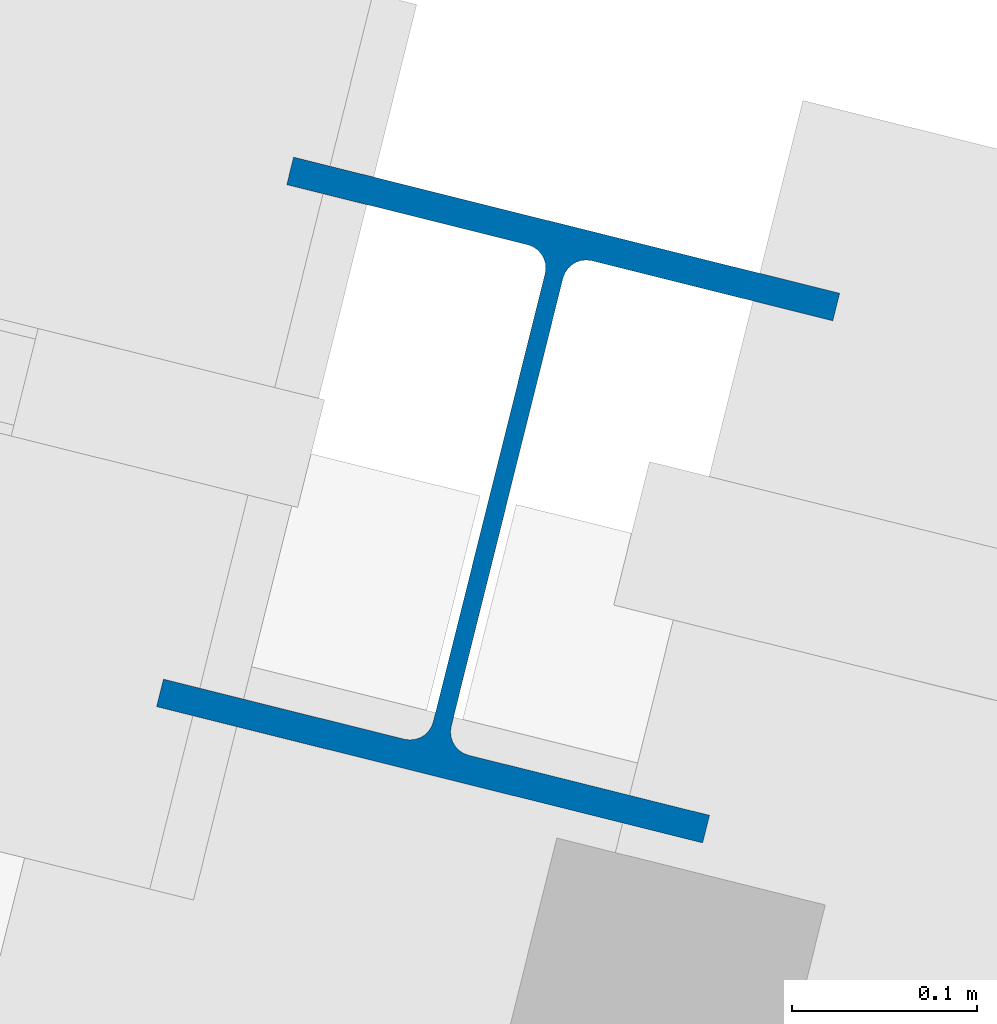
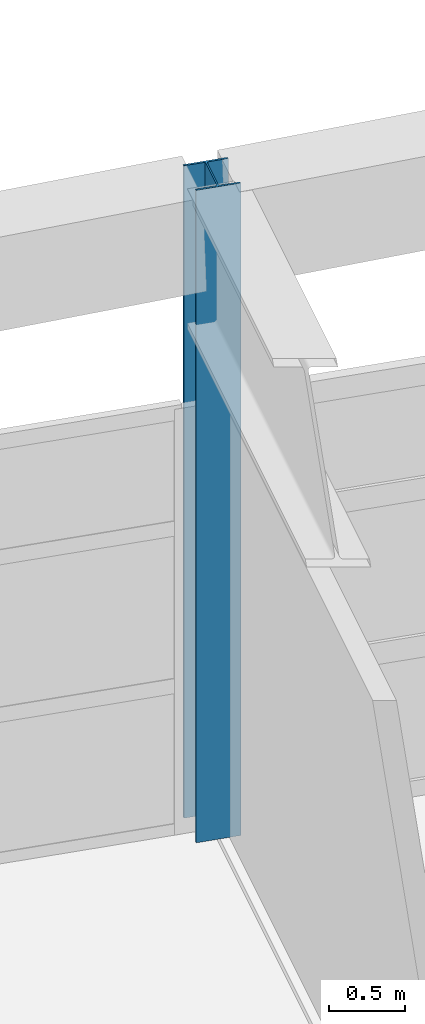
# One storey, part 6 of 27: 1 column.
"""IFC4 building model written with IfcOpenShell, lengths in metres."""

import ifcopenshell
import ifcopenshell.guid

model = None  # the IFC model being written
_history = None  # IfcOwnerHistory: only IFC2X3 demands one
_inside = {}  # id of a spatial element -> (the spatial element, [elements in it])
_under = {}  # id of a project, library or spatial element -> (it, [spatial elements below it])
_declared = {}  # id of a project -> (the project, [libraries it declares])
_typed = {}  # id of a type object -> (the type object, [elements of that type])
_made_of = {}  # id of a material, layer set ... -> (it, [elements and type objects made of it])


def new_model(schema):
    """Start an empty IFC model of exactly this schema.

    Asked for "IFC4X3", IfcOpenShell would pick the latest addendum, in which some entities
    have other attributes; the version numbers below select the first issue.
    IFC2X3 requires an IfcOwnerHistory on every rooted entity: one is made here for all.
    """
    global model, _history
    if schema == "IFC4X3":
        model = ifcopenshell.file(schema_version=(4, 3, 0, 0))
    else:
        model = ifcopenshell.file(schema=schema)
    _inside.clear()
    _under.clear()
    _declared.clear()
    _typed.clear()
    _made_of.clear()
    _history = None
    if model.schema == "IFC2X3":
        org = make("IfcOrganization", Name="unknown")
        user = make(
            "IfcPersonAndOrganization",
            ThePerson=make("IfcPerson", FamilyName="unknown"),
            TheOrganization=org,
        )
        app = make(
            "IfcApplication",
            ApplicationDeveloper=org,
            Version="unknown",
            ApplicationFullName="unknown",
            ApplicationIdentifier="unknown",
        )
        _history = make(
            "IfcOwnerHistory",
            OwningUser=user,
            OwningApplication=app,
            ChangeAction="ADDED",
            CreationDate=0,
        )
    return model


def make(cls, **values):
    """One entity of the class cls with the attributes given. An attribute that is None is left unset."""
    return model.create_entity(
        cls, **{name: value for name, value in values.items() if value is not None}
    )


def rooted(cls, **values):
    """An entity with a GlobalId (a new one), such as an element, a storey or a relation."""
    return make(cls, GlobalId=ifcopenshell.guid.new(), OwnerHistory=_history, **values)


def si_unit(unit_type, name, prefix=None):
    """IfcSIUnit, for example si_unit("LENGTHUNIT", "METRE", prefix="MILLI")."""
    return make("IfcSIUnit", UnitType=unit_type, Prefix=prefix, Name=name)


def assignment(units):
    """IfcUnitAssignment: the units of a project."""
    return None if units is None else make("IfcUnitAssignment", Units=units)


def point(xyz):
    """IfcCartesianPoint."""
    return None if xyz is None else make("IfcCartesianPoint", Coordinates=xyz)


def direction(xyz):
    """IfcDirection."""
    return None if xyz is None else make("IfcDirection", DirectionRatios=xyz)


def frame(location, z_axis=None, x_axis=None):
    """IfcAxis2Placement3D, a coordinate frame: its origin and axes. An axis left out is left unset."""
    return make(
        "IfcAxis2Placement3D",
        Location=point(location),
        Axis=direction(z_axis),
        RefDirection=direction(x_axis),
    )


def frame_2d(location, x_axis=None):
    """IfcAxis2Placement2D, a coordinate frame in the plane: its origin and x axis."""
    return make(
        "IfcAxis2Placement2D", Location=point(location), RefDirection=direction(x_axis)
    )


def origin():
    """The frame at (0, 0, 0) with its axes left unset."""
    return frame((0.0, 0.0, 0.0))


def origin_2d():
    """The frame at (0, 0) in the plane with its x axis left unset."""
    return frame_2d((0.0, 0.0))


def place(relative_to, where):
    """IfcLocalPlacement: puts the frame where relative to a parent placement (None: the world)."""
    return make(
        "IfcLocalPlacement", PlacementRelTo=relative_to, RelativePlacement=where
    )


def context(
    kind, dimensions, precision=None, world=None, true_north=None, identifier=None
):
    """IfcGeometricRepresentationContext, for example the 3D "Model" context."""
    return make(
        "IfcGeometricRepresentationContext",
        ContextIdentifier=identifier,
        ContextType=kind,
        CoordinateSpaceDimension=dimensions,
        Precision=precision,
        WorldCoordinateSystem=world,
        TrueNorth=true_north,
    )


def subcontext(parent, identifier, kind, view, scale=None):
    """IfcGeometricRepresentationSubContext, for example "Body" below "Model"."""
    return make(
        "IfcGeometricRepresentationSubContext",
        ContextIdentifier=identifier,
        ContextType=kind,
        ParentContext=parent,
        TargetScale=scale,
        TargetView=view,
    )


def project(units=None, contexts=None):
    """IfcProject with its units and contexts."""
    return rooted(
        "IfcProject",
        Name="project",
        RepresentationContexts=contexts,
        UnitsInContext=assignment(units),
    )


def spatial(cls, under=None, at=None, **own):
    """A site, building, storey or space (cls), placed at a placement, below another one or the project."""
    s = rooted(cls, ObjectPlacement=at, **own)
    if under is not None:
        _under.setdefault(under.id(), (under, []))[1].append(s)
    return s


def profile(cls, at=None, kind="AREA", **sizes):
    """A parametric profile (cls). Its sizes go by their IFC names, for example OverallWidth=200.0."""
    return make(cls, ProfileType=kind, Position=at, **sizes)


def i_section(**sizes):
    """IfcIShapeProfileDef."""
    return profile("IfcIShapeProfileDef", **sizes)


def extrude(swept, where, along, depth):
    """IfcExtrudedAreaSolid: the profile swept, set in the frame where, extruded along a direction by depth."""
    return make(
        "IfcExtrudedAreaSolid",
        SweptArea=swept,
        Position=where,
        ExtrudedDirection=direction(along),
        Depth=depth,
    )


def shape(context_of_items, identifier, shape_type, items):
    """IfcShapeRepresentation: the items that make up one representation, for example the "Body"."""
    return make(
        "IfcShapeRepresentation",
        ContextOfItems=context_of_items,
        RepresentationIdentifier=identifier,
        RepresentationType=shape_type,
        Items=items,
    )


def material(Name=None, Category=None):
    """IfcMaterial."""
    return make("IfcMaterial", Name=Name, Category=Category)


def material_profile(
    of_material, cross_section, Name=None, Category=None, Priority=None
):
    """IfcMaterialProfile: a cross section and its material."""
    return make(
        "IfcMaterialProfile",
        Name=Name,
        Material=of_material,
        Profile=cross_section,
        Priority=Priority,
        Category=Category,
    )


def profile_set(profiles, Name=None, composite=None):
    """IfcMaterialProfileSet."""
    return make(
        "IfcMaterialProfileSet",
        Name=Name,
        MaterialProfiles=profiles,
        CompositeProfile=composite,
    )


def made_of(thing, what):
    """Note that an element or type object is made of a material, layer set ...; save() writes the relation."""
    if what is not None:
        _made_of.setdefault(what.id(), (what, []))[1].append(thing)
    return thing


def type_object(cls, material=None, **own):
    """A type object (cls), such as IfcWallType, which elements share."""
    return made_of(rooted(cls, **own), material)


def element(
    cls,
    number,
    at=None,
    inside=None,
    cuts=None,
    type_object=None,
    material=None,
    context=None,
    identifier="Body",
    shape_type=None,
    held_by="IfcProductDefinitionShape",
    body=None,
    shapes=None,
    **own,
):
    """One element of the class cls, such as IfcWall. Its Tag is "e" and its number.

    at: its placement. inside: the storey or other place that contains it. cuts: it is an
    opening in that element (IfcRelVoidsElement). A single representation is given by context,
    identifier, shape_type and body (its items); several are given by shapes. held_by: the class
    of the entity that holds the representations. save() writes the other relations.
    """
    e = rooted(cls, Tag="e%d" % number, ObjectPlacement=at, **own)
    if body is not None:
        shapes = [shape(context, identifier, shape_type, body)]
    if shapes is not None:
        e.Representation = make(held_by, Representations=shapes)
    if inside is not None:
        _inside.setdefault(inside.id(), (inside, []))[1].append(e)
    if cuts is not None:
        rooted(
            "IfcRelVoidsElement", RelatingBuildingElement=cuts, RelatedOpeningElement=e
        )
    if type_object is not None:
        _typed.setdefault(type_object.id(), (type_object, []))[1].append(e)
    return made_of(e, material)


def aggregate(whole, parts):
    """IfcRelAggregates: a whole, such as a stair, and the parts it consists of."""
    return rooted("IfcRelAggregates", RelatingObject=whole, RelatedObjects=parts)


def save(model, path):
    """Write the relations noted so far, then the file.

    IfcRelAggregates (storeys below a building ...), IfcRelContainedInSpatialStructure (elements
    in a storey), IfcRelDefinesByType, IfcRelAssociatesMaterial and IfcRelDeclares: one each for
    every whole, place, type object, material and project.
    """
    for whole, parts in _under.values():
        aggregate(whole, parts)
    for where, things in _inside.values():
        rooted(
            "IfcRelContainedInSpatialStructure",
            RelatedElements=things,
            RelatingStructure=where,
        )
    for kind, things in _typed.values():
        rooted("IfcRelDefinesByType", RelatedObjects=things, RelatingType=kind)
    for what, things in _made_of.values():
        rooted("IfcRelAssociatesMaterial", RelatedObjects=things, RelatingMaterial=what)
    for by, libraries in _declared.values():
        rooted("IfcRelDeclares", RelatingContext=by, RelatedDefinitions=libraries)
    model.write(path)


model = new_model("IFC4")

# Units and contexts
model_context = context("Model", 3, precision=1e-05, world=origin(), true_north=direction((0.0, 1.0)))
body_context = subcontext(model_context, "Body", "Model", "MODEL_VIEW")
ifc_project = project(units=[si_unit("LENGTHUNIT", "METRE"), si_unit("AREAUNIT", "SQUARE_METRE"), si_unit("VOLUMEUNIT", "CUBIC_METRE"), si_unit("PLANEANGLEUNIT", "RADIAN"), si_unit("MASSUNIT", "GRAM", prefix="KILO")], contexts=[model_context])

# Site, building, storey
site_placement = place(None, origin())
site = spatial("IfcSite", under=ifc_project, at=site_placement, CompositionType="ELEMENT")
building_placement = place(site_placement, origin())
building = spatial("IfcBuilding", under=site, at=building_placement, Name="Vireo Bluff Cable Station", CompositionType="ELEMENT")
storey_placement = place(building_placement, frame((0.0, 0.0, 19.199951171875)))
storey = spatial("IfcBuildingStorey", under=building, at=storey_placement, Name="L04", CompositionType="ELEMENT", Elevation=19.199951171875)

# Column
ifc_material = material(Name="Steel ASTM A992 Gr. 50", Category="steel")
ifc_material_profile = material_profile(ifc_material, i_section(OverallWidth=0.304931640625, OverallDepth=0.306884765625, WebThickness=0.010009765625, FlangeThickness=0.015380859375, FilletRadius=0.012939453125, at=origin_2d()), Name="W12X65")
ifc_profile_set = profile_set([ifc_material_profile], Name="Steel ASTM A992 Gr. 50")
column_type = type_object("IfcColumnType", Name="ECOL-W12X65", PredefinedType="COLUMN", material=ifc_profile_set)
column_placement = place(storey_placement, frame((77.271484375, 56.9326171875, 0.0), z_axis=(0.0, 0.0, 1.0), x_axis=(0.970295726276, -0.2419218956, 0.0)))
element("IfcColumn", 1, at=column_placement, inside=storey, type_object=column_type, Name="V1 L04 column 60", PredefinedType="COLUMN", context=body_context, shape_type="SweptSolid", body=[
    extrude(i_section(OverallWidth=0.304931640625, OverallDepth=0.306884765625, WebThickness=0.010009765625, FlangeThickness=0.015380859375, FilletRadius=0.012939453125, at=origin_2d()), origin(), (0.0, 0.0, 1.0), 5.21142578125),
])

save(model, "model.ifc")
